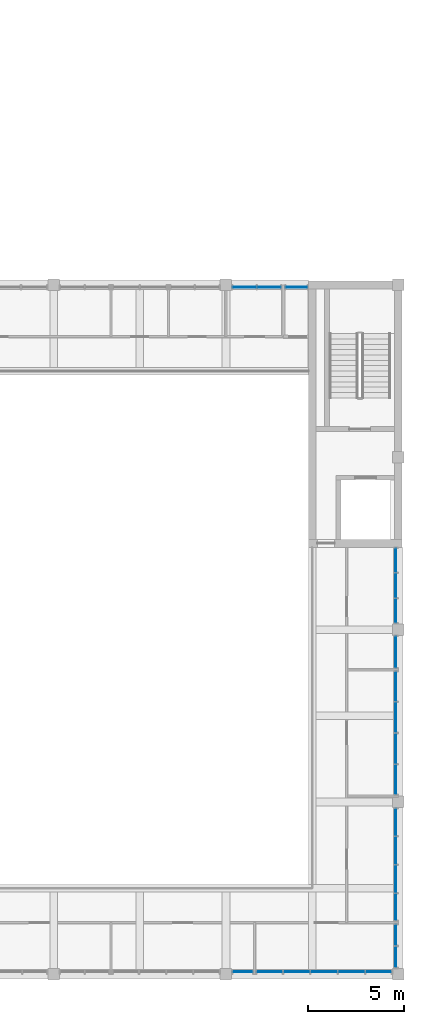
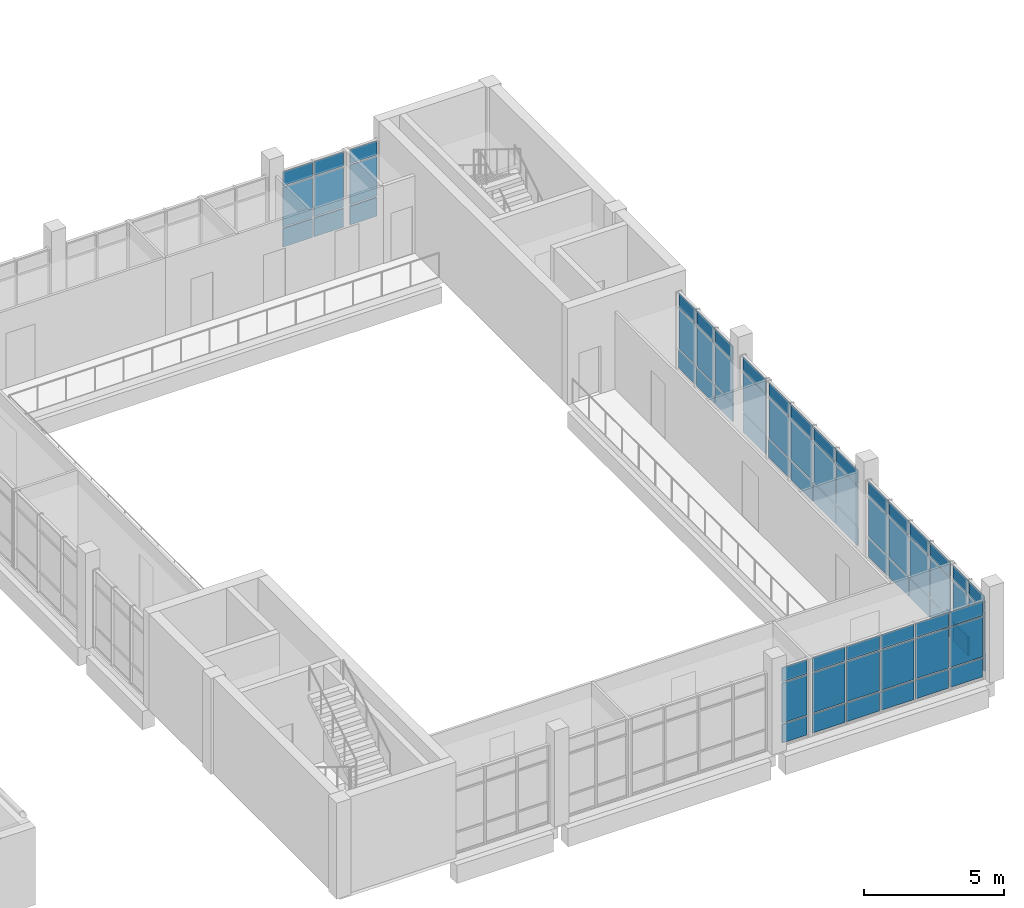
# One storey, part 37 of 92: 69 plates, 9 elements without a shape of their own.
"""IFC4 building model written with IfcOpenShell, lengths in metres."""

from ifc_helpers import new_model, si_unit, direction, frame, origin, origin_2d, place, context, subcontext, project, spatial, rectangle, extrude, material, layer, layer_set, type_object, element, aggregate, save


model = new_model("IFC4")

# Units and contexts
model_context = context("Model", 3, precision=1e-05, world=origin(), true_north=direction((0.0, 1.0)))
body_context = subcontext(model_context, "Body", "Model", "MODEL_VIEW")
ifc_project = project(units=[si_unit("LENGTHUNIT", "METRE"), si_unit("AREAUNIT", "SQUARE_METRE"), si_unit("VOLUMEUNIT", "CUBIC_METRE"), si_unit("PLANEANGLEUNIT", "RADIAN"), si_unit("MASSUNIT", "GRAM", prefix="KILO")], contexts=[model_context])

# Site, building, storey
site_placement = place(None, origin())
site = spatial("IfcSite", under=ifc_project, at=site_placement, CompositionType="ELEMENT")
building_placement = place(site_placement, origin())
building = spatial("IfcBuilding", under=site, at=building_placement, Name="Merrow Basin Faculty of Sciences", CompositionType="ELEMENT")
storey_placement = place(building_placement, frame((0.0, 0.0, 4.5)))
storey = spatial("IfcBuildingStorey", under=building, at=storey_placement, Name="L01", CompositionType="ELEMENT", Elevation=4.5)

# Curtain wall, plates
ifc_material_1 = material(Name="Aluminium alloy 6063", Category="aluminium")
curtain_wall_type = type_object("IfcCurtainWallType", Name="Atrium unitised curtain wall 240", PredefinedType="NOTDEFINED", material=ifc_material_1)
curtain_wall_1_placement = place(storey_placement, origin())
curtain_wall_1 = element("IfcCurtainWall", 1, at=curtain_wall_1_placement, inside=storey, type_object=curtain_wall_type, Name="N curtain wall L01 5", PredefinedType="NOTDEFINED")
ifc_material_2 = material(Name="Low-E double glazing", Category="glass")
ifc_layer_1 = layer(ifc_material_2, 0.031982421875)
ifc_layer_set_1 = layer_set([ifc_layer_1], Name="Acoustic double glazed panel 32")
plate_type_1 = type_object("IfcPlateType", Name="Acoustic double glazed panel 32", PredefinedType="CURTAIN_PANEL", material=ifc_layer_set_1)
plate_1_placement = place(storey_placement, frame((63.97119140625, 35.8798828125, 0.93017578125), z_axis=(0.0, 0.0, 1.0), x_axis=(1.0, 0.0, 0.0)))
plate_1 = element("IfcPlate", 2, at=plate_1_placement, type_object=plate_type_1, Name="CW5 panel 1.2", PredefinedType="CURTAIN_PANEL", context=body_context, shape_type="SweptSolid", body=[
    extrude(rectangle(XDim=1.222412109375, YDim=0.031982421875, at=origin_2d()), origin(), (0.0, 0.0, 1.0), 1.739990234375),
])
plate_2_placement = place(storey_placement, frame((63.97119140625, 35.8798828125, 2.72998046875), z_axis=(0.0, 0.0, 1.0), x_axis=(1.0, 0.0, 0.0)))
plate_2 = element("IfcPlate", 3, at=plate_2_placement, type_object=plate_type_1, Name="CW5 panel 1.3", PredefinedType="CURTAIN_PANEL", context=body_context, shape_type="SweptSolid", body=[
    extrude(rectangle(XDim=1.222412109375, YDim=0.031982421875, at=origin_2d()), origin(), (0.0, 0.0, 1.0), 0.610107421875),
])
plate_3_placement = place(storey_placement, frame((65.253662109375, 35.8798828125, 0.93017578125), z_axis=(0.0, 0.0, 1.0), x_axis=(1.0, 0.0, 0.0)))
plate_3 = element("IfcPlate", 4, at=plate_3_placement, type_object=plate_type_1, Name="CW5 panel 2.2", PredefinedType="CURTAIN_PANEL", context=body_context, shape_type="SweptSolid", body=[
    extrude(rectangle(XDim=1.222412109375, YDim=0.031982421875, at=origin_2d()), origin(), (0.0, 0.0, 1.0), 1.739990234375),
])
plate_4_placement = place(storey_placement, frame((65.253662109375, 35.8798828125, 2.72998046875), z_axis=(0.0, 0.0, 1.0), x_axis=(1.0, 0.0, 0.0)))
plate_4 = element("IfcPlate", 5, at=plate_4_placement, type_object=plate_type_1, Name="CW5 panel 2.3", PredefinedType="CURTAIN_PANEL", context=body_context, shape_type="SweptSolid", body=[
    extrude(rectangle(XDim=1.222412109375, YDim=0.031982421875, at=origin_2d()), origin(), (0.0, 0.0, 1.0), 0.610107421875),
])

curtain_wall_2_placement = place(storey_placement, origin())
curtain_wall_2 = element("IfcCurtainWall", 6, at=curtain_wall_2_placement, inside=storey, type_object=curtain_wall_type, Name="N curtain wall L01 6", PredefinedType="NOTDEFINED")
plate_5_placement = place(storey_placement, frame((66.6875, 35.8798828125, 0.93017578125), z_axis=(0.0, 0.0, 1.0), x_axis=(1.0, 0.0, 0.0)))
plate_5 = element("IfcPlate", 7, at=plate_5_placement, type_object=plate_type_1, Name="CW5 panel 1.2", PredefinedType="CURTAIN_PANEL", context=body_context, shape_type="SweptSolid", body=[
    extrude(rectangle(XDim=1.10498046875, YDim=0.031982421875, at=origin_2d()), origin(), (0.0, 0.0, 1.0), 1.739990234375),
])
plate_6_placement = place(storey_placement, frame((66.6875, 35.8798828125, 2.72998046875), z_axis=(0.0, 0.0, 1.0), x_axis=(1.0, 0.0, 0.0)))
plate_6 = element("IfcPlate", 8, at=plate_6_placement, type_object=plate_type_1, Name="CW5 panel 1.3", PredefinedType="CURTAIN_PANEL", context=body_context, shape_type="SweptSolid", body=[
    extrude(rectangle(XDim=1.10498046875, YDim=0.031982421875, at=origin_2d()), origin(), (0.0, 0.0, 1.0), 0.610107421875),
])

curtain_wall_3_placement = place(storey_placement, origin())
curtain_wall_3 = element("IfcCurtainWall", 9, at=curtain_wall_3_placement, inside=storey, type_object=curtain_wall_type, Name="E curtain wall L01 1", PredefinedType="NOTDEFINED")
plate_7_placement = place(storey_placement, frame((71.8798828125, 0.902587890625, 0.93017578125), z_axis=(0.0, 0.0, 1.0), x_axis=(0.0, 1.0, 0.0)))
plate_7 = element("IfcPlate", 10, at=plate_7_placement, type_object=plate_type_1, Name="CW5 panel 1.2", PredefinedType="CURTAIN_PANEL", context=body_context, shape_type="SweptSolid", body=[
    extrude(rectangle(XDim=1.0849609375, YDim=0.031982421875, at=origin_2d()), origin(), (0.0, 0.0, 1.0), 1.739990234375),
])
plate_8_placement = place(storey_placement, frame((71.8798828125, 0.902587890625, 2.72998046875), z_axis=(0.0, 0.0, 1.0), x_axis=(0.0, 1.0, 0.0)))
plate_8 = element("IfcPlate", 11, at=plate_8_placement, type_object=plate_type_1, Name="CW5 panel 1.3", PredefinedType="CURTAIN_PANEL", context=body_context, shape_type="SweptSolid", body=[
    extrude(rectangle(XDim=1.0849609375, YDim=0.031982421875, at=origin_2d()), origin(), (0.0, 0.0, 1.0), 0.610107421875),
])
plate_9_placement = place(storey_placement, frame((71.8798828125, 2.047607421875, 0.93017578125), z_axis=(0.0, 0.0, 1.0), x_axis=(0.0, 1.0, 0.0)))
plate_9 = element("IfcPlate", 12, at=plate_9_placement, type_object=plate_type_1, Name="CW5 panel 2.2", PredefinedType="CURTAIN_PANEL", context=body_context, shape_type="SweptSolid", body=[
    extrude(rectangle(XDim=1.0849609375, YDim=0.031982421875, at=origin_2d()), origin(), (0.0, 0.0, 1.0), 1.739990234375),
])
plate_10_placement = place(storey_placement, frame((71.8798828125, 2.047607421875, 2.72998046875), z_axis=(0.0, 0.0, 1.0), x_axis=(0.0, 1.0, 0.0)))
plate_10 = element("IfcPlate", 13, at=plate_10_placement, type_object=plate_type_1, Name="CW5 panel 2.3", PredefinedType="CURTAIN_PANEL", context=body_context, shape_type="SweptSolid", body=[
    extrude(rectangle(XDim=1.0849609375, YDim=0.031982421875, at=origin_2d()), origin(), (0.0, 0.0, 1.0), 0.610107421875),
])

curtain_wall_4_placement = place(storey_placement, origin())
curtain_wall_4 = element("IfcCurtainWall", 14, at=curtain_wall_4_placement, inside=storey, type_object=curtain_wall_type, Name="E curtain wall L01 2", PredefinedType="NOTDEFINED")
plate_11_placement = place(storey_placement, frame((71.8798828125, 3.5087890625, 0.93017578125), z_axis=(0.0, 0.0, 1.0), x_axis=(0.0, 1.0, 0.0)))
plate_11 = element("IfcPlate", 15, at=plate_11_placement, type_object=plate_type_1, Name="CW5 panel 1.2", PredefinedType="CURTAIN_PANEL", context=body_context, shape_type="SweptSolid", body=[
    extrude(rectangle(XDim=1.3974609375, YDim=0.031982421875, at=origin_2d()), origin(), (0.0, 0.0, 1.0), 1.739990234375),
])
plate_12_placement = place(storey_placement, frame((71.8798828125, 3.5087890625, 2.72998046875), z_axis=(0.0, 0.0, 1.0), x_axis=(0.0, 1.0, 0.0)))
plate_12 = element("IfcPlate", 16, at=plate_12_placement, type_object=plate_type_1, Name="CW5 panel 1.3", PredefinedType="CURTAIN_PANEL", context=body_context, shape_type="SweptSolid", body=[
    extrude(rectangle(XDim=1.3974609375, YDim=0.031982421875, at=origin_2d()), origin(), (0.0, 0.0, 1.0), 0.610107421875),
])
plate_13_placement = place(storey_placement, frame((71.8798828125, 4.981201171875, 0.93017578125), z_axis=(0.0, 0.0, 1.0), x_axis=(0.0, 1.0, 0.0)))
plate_13 = element("IfcPlate", 17, at=plate_13_placement, type_object=plate_type_1, Name="CW5 panel 2.2", PredefinedType="CURTAIN_PANEL", context=body_context, shape_type="SweptSolid", body=[
    extrude(rectangle(XDim=1.427490234375, YDim=0.031982421875, at=origin_2d()), origin(), (0.0, 0.0, 1.0), 1.739990234375),
])
plate_14_placement = place(storey_placement, frame((71.8798828125, 4.981201171875, 2.72998046875), z_axis=(0.0, 0.0, 1.0), x_axis=(0.0, 1.0, 0.0)))
plate_14 = element("IfcPlate", 18, at=plate_14_placement, type_object=plate_type_1, Name="CW5 panel 2.3", PredefinedType="CURTAIN_PANEL", context=body_context, shape_type="SweptSolid", body=[
    extrude(rectangle(XDim=1.427490234375, YDim=0.031982421875, at=origin_2d()), origin(), (0.0, 0.0, 1.0), 0.610107421875),
])
plate_15_placement = place(storey_placement, frame((71.8798828125, 6.46875, 0.93017578125), z_axis=(0.0, 0.0, 1.0), x_axis=(0.0, 1.0, 0.0)))
plate_15 = element("IfcPlate", 19, at=plate_15_placement, type_object=plate_type_1, Name="CW5 panel 3.2", PredefinedType="CURTAIN_PANEL", context=body_context, shape_type="SweptSolid", body=[
    extrude(rectangle(XDim=1.427490234375, YDim=0.031982421875, at=origin_2d()), origin(), (0.0, 0.0, 1.0), 1.739990234375),
])
plate_16_placement = place(storey_placement, frame((71.8798828125, 6.46875, 2.72998046875), z_axis=(0.0, 0.0, 1.0), x_axis=(0.0, 1.0, 0.0)))
plate_16 = element("IfcPlate", 20, at=plate_16_placement, type_object=plate_type_1, Name="CW5 panel 3.3", PredefinedType="CURTAIN_PANEL", context=body_context, shape_type="SweptSolid", body=[
    extrude(rectangle(XDim=1.427490234375, YDim=0.031982421875, at=origin_2d()), origin(), (0.0, 0.0, 1.0), 0.610107421875),
])
plate_17_placement = place(storey_placement, frame((71.8798828125, 7.941162109375, 0.93017578125), z_axis=(0.0, 0.0, 1.0), x_axis=(0.0, 1.0, 0.0)))
plate_17 = element("IfcPlate", 21, at=plate_17_placement, type_object=plate_type_1, Name="CW5 panel 4.2", PredefinedType="CURTAIN_PANEL", context=body_context, shape_type="SweptSolid", body=[
    extrude(rectangle(XDim=1.3974609375, YDim=0.031982421875, at=origin_2d()), origin(), (0.0, 0.0, 1.0), 1.739990234375),
])
plate_18_placement = place(storey_placement, frame((71.8798828125, 7.941162109375, 2.72998046875), z_axis=(0.0, 0.0, 1.0), x_axis=(0.0, 1.0, 0.0)))
plate_18 = element("IfcPlate", 22, at=plate_18_placement, type_object=plate_type_1, Name="CW5 panel 4.3", PredefinedType="CURTAIN_PANEL", context=body_context, shape_type="SweptSolid", body=[
    extrude(rectangle(XDim=1.3974609375, YDim=0.031982421875, at=origin_2d()), origin(), (0.0, 0.0, 1.0), 0.610107421875),
])

curtain_wall_5_placement = place(storey_placement, origin())
curtain_wall_5 = element("IfcCurtainWall", 23, at=curtain_wall_5_placement, inside=storey, type_object=curtain_wall_type, Name="E curtain wall L01 3", PredefinedType="NOTDEFINED")
plate_19_placement = place(storey_placement, frame((71.8798828125, 10.177490234375, 0.93017578125), z_axis=(0.0, 0.0, 1.0), x_axis=(0.0, 1.0, 0.0)))
plate_19 = element("IfcPlate", 24, at=plate_19_placement, type_object=plate_type_1, Name="CW5 panel 1.2", PredefinedType="CURTAIN_PANEL", context=body_context, shape_type="SweptSolid", body=[
    extrude(rectangle(XDim=1.534912109375, YDim=0.031982421875, at=origin_2d()), origin(), (0.0, 0.0, 1.0), 1.739990234375),
])
plate_20_placement = place(storey_placement, frame((71.8798828125, 10.177490234375, 2.72998046875), z_axis=(0.0, 0.0, 1.0), x_axis=(0.0, 1.0, 0.0)))
plate_20 = element("IfcPlate", 25, at=plate_20_placement, type_object=plate_type_1, Name="CW5 panel 1.3", PredefinedType="CURTAIN_PANEL", context=body_context, shape_type="SweptSolid", body=[
    extrude(rectangle(XDim=1.534912109375, YDim=0.031982421875, at=origin_2d()), origin(), (0.0, 0.0, 1.0), 0.610107421875),
])
plate_21_placement = place(storey_placement, frame((71.8798828125, 11.78759765625, 0.93017578125), z_axis=(0.0, 0.0, 1.0), x_axis=(0.0, 1.0, 0.0)))
plate_21 = element("IfcPlate", 26, at=plate_21_placement, type_object=plate_type_1, Name="CW5 panel 2.2", PredefinedType="CURTAIN_PANEL", context=body_context, shape_type="SweptSolid", body=[
    extrude(rectangle(XDim=1.56494140625, YDim=0.031982421875, at=origin_2d()), origin(), (0.0, 0.0, 1.0), 1.739990234375),
])
plate_22_placement = place(storey_placement, frame((71.8798828125, 11.78759765625, 2.72998046875), z_axis=(0.0, 0.0, 1.0), x_axis=(0.0, 1.0, 0.0)))
plate_22 = element("IfcPlate", 27, at=plate_22_placement, type_object=plate_type_1, Name="CW5 panel 2.3", PredefinedType="CURTAIN_PANEL", context=body_context, shape_type="SweptSolid", body=[
    extrude(rectangle(XDim=1.56494140625, YDim=0.031982421875, at=origin_2d()), origin(), (0.0, 0.0, 1.0), 0.610107421875),
])
plate_23_placement = place(storey_placement, frame((71.8798828125, 13.41259765625, 0.93017578125), z_axis=(0.0, 0.0, 1.0), x_axis=(0.0, 1.0, 0.0)))
plate_23 = element("IfcPlate", 28, at=plate_23_placement, type_object=plate_type_1, Name="CW5 panel 3.2", PredefinedType="CURTAIN_PANEL", context=body_context, shape_type="SweptSolid", body=[
    extrude(rectangle(XDim=1.56494140625, YDim=0.031982421875, at=origin_2d()), origin(), (0.0, 0.0, 1.0), 1.739990234375),
])
plate_24_placement = place(storey_placement, frame((71.8798828125, 13.41259765625, 2.72998046875), z_axis=(0.0, 0.0, 1.0), x_axis=(0.0, 1.0, 0.0)))
plate_24 = element("IfcPlate", 29, at=plate_24_placement, type_object=plate_type_1, Name="CW5 panel 3.3", PredefinedType="CURTAIN_PANEL", context=body_context, shape_type="SweptSolid", body=[
    extrude(rectangle(XDim=1.56494140625, YDim=0.031982421875, at=origin_2d()), origin(), (0.0, 0.0, 1.0), 0.610107421875),
])
plate_25_placement = place(storey_placement, frame((71.8798828125, 15.0224609375, 0.93017578125), z_axis=(0.0, 0.0, 1.0), x_axis=(0.0, 1.0, 0.0)))
plate_25 = element("IfcPlate", 30, at=plate_25_placement, type_object=plate_type_1, Name="CW5 panel 4.2", PredefinedType="CURTAIN_PANEL", context=body_context, shape_type="SweptSolid", body=[
    extrude(rectangle(XDim=1.534912109375, YDim=0.031982421875, at=origin_2d()), origin(), (0.0, 0.0, 1.0), 1.739990234375),
])
plate_26_placement = place(storey_placement, frame((71.8798828125, 15.0224609375, 2.72998046875), z_axis=(0.0, 0.0, 1.0), x_axis=(0.0, 1.0, 0.0)))
plate_26 = element("IfcPlate", 31, at=plate_26_placement, type_object=plate_type_1, Name="CW5 panel 4.3", PredefinedType="CURTAIN_PANEL", context=body_context, shape_type="SweptSolid", body=[
    extrude(rectangle(XDim=1.534912109375, YDim=0.031982421875, at=origin_2d()), origin(), (0.0, 0.0, 1.0), 0.610107421875),
])

curtain_wall_6_placement = place(storey_placement, origin())
curtain_wall_6 = element("IfcCurtainWall", 32, at=curtain_wall_6_placement, inside=storey, type_object=curtain_wall_type, Name="E curtain wall L01 4", PredefinedType="NOTDEFINED")
plate_27_placement = place(storey_placement, frame((71.8798828125, 16.824951171875, 0.93017578125), z_axis=(0.0, 0.0, 1.0), x_axis=(0.0, 1.0, 0.0)))
plate_27 = element("IfcPlate", 33, at=plate_27_placement, type_object=plate_type_1, Name="CW5 panel 1.2", PredefinedType="CURTAIN_PANEL", context=body_context, shape_type="SweptSolid", body=[
    extrude(rectangle(XDim=1.6298828125, YDim=0.031982421875, at=origin_2d()), origin(), (0.0, 0.0, 1.0), 1.739990234375),
])
plate_28_placement = place(storey_placement, frame((71.8798828125, 16.824951171875, 2.72998046875), z_axis=(0.0, 0.0, 1.0), x_axis=(0.0, 1.0, 0.0)))
plate_28 = element("IfcPlate", 34, at=plate_28_placement, type_object=plate_type_1, Name="CW5 panel 1.3", PredefinedType="CURTAIN_PANEL", context=body_context, shape_type="SweptSolid", body=[
    extrude(rectangle(XDim=1.6298828125, YDim=0.031982421875, at=origin_2d()), origin(), (0.0, 0.0, 1.0), 0.610107421875),
])

curtain_wall_7_placement = place(storey_placement, origin())
curtain_wall_7 = element("IfcCurtainWall", 35, at=curtain_wall_7_placement, inside=storey, type_object=curtain_wall_type, Name="E curtain wall L01 5", PredefinedType="NOTDEFINED")
plate_29_placement = place(storey_placement, frame((71.8798828125, 18.981689453125, 0.93017578125), z_axis=(0.0, 0.0, 1.0), x_axis=(0.0, 1.0, 0.0)))
plate_29 = element("IfcPlate", 36, at=plate_29_placement, type_object=plate_type_1, Name="CW5 panel 1.2", PredefinedType="CURTAIN_PANEL", context=body_context, shape_type="SweptSolid", body=[
    extrude(rectangle(XDim=1.243408203125, YDim=0.031982421875, at=origin_2d()), origin(), (0.0, 0.0, 1.0), 1.739990234375),
])
plate_30_placement = place(storey_placement, frame((71.8798828125, 18.981689453125, 2.72998046875), z_axis=(0.0, 0.0, 1.0), x_axis=(0.0, 1.0, 0.0)))
plate_30 = element("IfcPlate", 37, at=plate_30_placement, type_object=plate_type_1, Name="CW5 panel 1.3", PredefinedType="CURTAIN_PANEL", context=body_context, shape_type="SweptSolid", body=[
    extrude(rectangle(XDim=1.243408203125, YDim=0.031982421875, at=origin_2d()), origin(), (0.0, 0.0, 1.0), 0.610107421875),
])
plate_31_placement = place(storey_placement, frame((71.8798828125, 20.300048828125, 0.93017578125), z_axis=(0.0, 0.0, 1.0), x_axis=(0.0, 1.0, 0.0)))
plate_31 = element("IfcPlate", 38, at=plate_31_placement, type_object=plate_type_1, Name="CW5 panel 2.2", PredefinedType="CURTAIN_PANEL", context=body_context, shape_type="SweptSolid", body=[
    extrude(rectangle(XDim=1.2734375, YDim=0.031982421875, at=origin_2d()), origin(), (0.0, 0.0, 1.0), 1.739990234375),
])
plate_32_placement = place(storey_placement, frame((71.8798828125, 20.300048828125, 2.72998046875), z_axis=(0.0, 0.0, 1.0), x_axis=(0.0, 1.0, 0.0)))
plate_32 = element("IfcPlate", 39, at=plate_32_placement, type_object=plate_type_1, Name="CW5 panel 2.3", PredefinedType="CURTAIN_PANEL", context=body_context, shape_type="SweptSolid", body=[
    extrude(rectangle(XDim=1.2734375, YDim=0.031982421875, at=origin_2d()), origin(), (0.0, 0.0, 1.0), 0.610107421875),
])
plate_33_placement = place(storey_placement, frame((71.8798828125, 21.618408203125, 0.93017578125), z_axis=(0.0, 0.0, 1.0), x_axis=(0.0, 1.0, 0.0)))
plate_33 = element("IfcPlate", 40, at=plate_33_placement, type_object=plate_type_1, Name="CW5 panel 3.2", PredefinedType="CURTAIN_PANEL", context=body_context, shape_type="SweptSolid", body=[
    extrude(rectangle(XDim=1.243408203125, YDim=0.031982421875, at=origin_2d()), origin(), (0.0, 0.0, 1.0), 1.739990234375),
])
plate_34_placement = place(storey_placement, frame((71.8798828125, 21.618408203125, 2.72998046875), z_axis=(0.0, 0.0, 1.0), x_axis=(0.0, 1.0, 0.0)))
plate_34 = element("IfcPlate", 41, at=plate_34_placement, type_object=plate_type_1, Name="CW5 panel 3.3", PredefinedType="CURTAIN_PANEL", context=body_context, shape_type="SweptSolid", body=[
    extrude(rectangle(XDim=1.243408203125, YDim=0.031982421875, at=origin_2d()), origin(), (0.0, 0.0, 1.0), 0.610107421875),
])

curtain_wall_8_placement = place(storey_placement, origin())
curtain_wall_8 = element("IfcCurtainWall", 42, at=curtain_wall_8_placement, inside=storey, type_object=curtain_wall_type, Name="S curtain wall L01 4", PredefinedType="NOTDEFINED")
plate_35_placement = place(storey_placement, frame((63.875, 0.1201171875, 0.93017578125), z_axis=(0.0, 0.0, 1.0), x_axis=(1.0, 0.0, 0.0)))
plate_35 = element("IfcPlate", 43, at=plate_35_placement, type_object=plate_type_1, Name="CW5 panel 1.2", PredefinedType="CURTAIN_PANEL", context=body_context, shape_type="SweptSolid", body=[
    extrude(rectangle(XDim=1.030029296875, YDim=0.031982421875, at=origin_2d()), origin(), (0.0, 0.0, 1.0), 1.739990234375),
])
plate_36_placement = place(storey_placement, frame((63.875, 0.1201171875, 2.72998046875), z_axis=(0.0, 0.0, 1.0), x_axis=(1.0, 0.0, 0.0)))
plate_36 = element("IfcPlate", 44, at=plate_36_placement, type_object=plate_type_1, Name="CW5 panel 1.3", PredefinedType="CURTAIN_PANEL", context=body_context, shape_type="SweptSolid", body=[
    extrude(rectangle(XDim=1.030029296875, YDim=0.031982421875, at=origin_2d()), origin(), (0.0, 0.0, 1.0), 0.610107421875),
])

curtain_wall_9_placement = place(storey_placement, origin())
curtain_wall_9 = element("IfcCurtainWall", 45, at=curtain_wall_9_placement, inside=storey, type_object=curtain_wall_type, Name="S curtain wall L01 5", PredefinedType="NOTDEFINED")
plate_37_placement = place(storey_placement, frame((65.280029296875, 0.1201171875, 0.93017578125), z_axis=(0.0, 0.0, 1.0), x_axis=(1.0, 0.0, 0.0)))
plate_37 = element("IfcPlate", 46, at=plate_37_placement, type_object=plate_type_1, Name="CW5 panel 1.2", PredefinedType="CURTAIN_PANEL", context=body_context, shape_type="SweptSolid", body=[
    extrude(rectangle(XDim=1.340087890625, YDim=0.031982421875, at=origin_2d()), origin(), (0.0, 0.0, 1.0), 1.739990234375),
])
plate_38_placement = place(storey_placement, frame((65.280029296875, 0.1201171875, 2.72998046875), z_axis=(0.0, 0.0, 1.0), x_axis=(1.0, 0.0, 0.0)))
plate_38 = element("IfcPlate", 47, at=plate_38_placement, type_object=plate_type_1, Name="CW5 panel 1.3", PredefinedType="CURTAIN_PANEL", context=body_context, shape_type="SweptSolid", body=[
    extrude(rectangle(XDim=1.340087890625, YDim=0.031982421875, at=origin_2d()), origin(), (0.0, 0.0, 1.0), 0.610107421875),
])
plate_39_placement = place(storey_placement, frame((66.695068359375, 0.1201171875, 0.93017578125), z_axis=(0.0, 0.0, 1.0), x_axis=(1.0, 0.0, 0.0)))
plate_39 = element("IfcPlate", 48, at=plate_39_placement, type_object=plate_type_1, Name="CW5 panel 2.2", PredefinedType="CURTAIN_PANEL", context=body_context, shape_type="SweptSolid", body=[
    extrude(rectangle(XDim=1.3701171875, YDim=0.031982421875, at=origin_2d()), origin(), (0.0, 0.0, 1.0), 1.739990234375),
])
plate_40_placement = place(storey_placement, frame((66.695068359375, 0.1201171875, 2.72998046875), z_axis=(0.0, 0.0, 1.0), x_axis=(1.0, 0.0, 0.0)))
plate_40 = element("IfcPlate", 49, at=plate_40_placement, type_object=plate_type_1, Name="CW5 panel 2.3", PredefinedType="CURTAIN_PANEL", context=body_context, shape_type="SweptSolid", body=[
    extrude(rectangle(XDim=1.3701171875, YDim=0.031982421875, at=origin_2d()), origin(), (0.0, 0.0, 1.0), 0.610107421875),
])
plate_41_placement = place(storey_placement, frame((68.125, 0.1201171875, 0.93017578125), z_axis=(0.0, 0.0, 1.0), x_axis=(1.0, 0.0, 0.0)))
plate_41 = element("IfcPlate", 50, at=plate_41_placement, type_object=plate_type_1, Name="CW5 panel 3.2", PredefinedType="CURTAIN_PANEL", context=body_context, shape_type="SweptSolid", body=[
    extrude(rectangle(XDim=1.3701171875, YDim=0.031982421875, at=origin_2d()), origin(), (0.0, 0.0, 1.0), 1.739990234375),
])
plate_42_placement = place(storey_placement, frame((68.125, 0.1201171875, 2.72998046875), z_axis=(0.0, 0.0, 1.0), x_axis=(1.0, 0.0, 0.0)))
plate_42 = element("IfcPlate", 51, at=plate_42_placement, type_object=plate_type_1, Name="CW5 panel 3.3", PredefinedType="CURTAIN_PANEL", context=body_context, shape_type="SweptSolid", body=[
    extrude(rectangle(XDim=1.3701171875, YDim=0.031982421875, at=origin_2d()), origin(), (0.0, 0.0, 1.0), 0.610107421875),
])
plate_43_placement = place(storey_placement, frame((69.554931640625, 0.1201171875, 0.93017578125), z_axis=(0.0, 0.0, 1.0), x_axis=(1.0, 0.0, 0.0)))
plate_43 = element("IfcPlate", 52, at=plate_43_placement, type_object=plate_type_1, Name="CW5 panel 4.2", PredefinedType="CURTAIN_PANEL", context=body_context, shape_type="SweptSolid", body=[
    extrude(rectangle(XDim=1.3701171875, YDim=0.031982421875, at=origin_2d()), origin(), (0.0, 0.0, 1.0), 1.739990234375),
])
plate_44_placement = place(storey_placement, frame((69.554931640625, 0.1201171875, 2.72998046875), z_axis=(0.0, 0.0, 1.0), x_axis=(1.0, 0.0, 0.0)))
plate_44 = element("IfcPlate", 53, at=plate_44_placement, type_object=plate_type_1, Name="CW5 panel 4.3", PredefinedType="CURTAIN_PANEL", context=body_context, shape_type="SweptSolid", body=[
    extrude(rectangle(XDim=1.3701171875, YDim=0.031982421875, at=origin_2d()), origin(), (0.0, 0.0, 1.0), 0.610107421875),
])
plate_45_placement = place(storey_placement, frame((70.969970703125, 0.1201171875, 0.93017578125), z_axis=(0.0, 0.0, 1.0), x_axis=(1.0, 0.0, 0.0)))
plate_45 = element("IfcPlate", 54, at=plate_45_placement, type_object=plate_type_1, Name="CW5 panel 5.2", PredefinedType="CURTAIN_PANEL", context=body_context, shape_type="SweptSolid", body=[
    extrude(rectangle(XDim=1.340087890625, YDim=0.031982421875, at=origin_2d()), origin(), (0.0, 0.0, 1.0), 1.739990234375),
])
plate_46_placement = place(storey_placement, frame((70.969970703125, 0.1201171875, 2.72998046875), z_axis=(0.0, 0.0, 1.0), x_axis=(1.0, 0.0, 0.0)))
plate_46 = element("IfcPlate", 55, at=plate_46_placement, type_object=plate_type_1, Name="CW5 panel 5.3", PredefinedType="CURTAIN_PANEL", context=body_context, shape_type="SweptSolid", body=[
    extrude(rectangle(XDim=1.340087890625, YDim=0.031982421875, at=origin_2d()), origin(), (0.0, 0.0, 1.0), 0.610107421875),
])

# Plate
ifc_material_3 = material(Name="Insulated aluminium spandrel panel", Category="aluminium")
ifc_layer_2 = layer(ifc_material_3, 0.052001953125)
ifc_layer_set_2 = layer_set([ifc_layer_2], Name="Insulated spandrel panel 52")
plate_type_2 = type_object("IfcPlateType", Name="Insulated spandrel panel 52", PredefinedType="CURTAIN_PANEL", material=ifc_layer_set_2)
plate_47_placement = place(storey_placement, frame((63.97119140625, 35.8798828125, 0.06005859375), z_axis=(0.0, 0.0, 1.0), x_axis=(1.0, 0.0, 0.0)))
plate_47 = element("IfcPlate", 56, at=plate_47_placement, type_object=plate_type_2, Name="CW5 panel 1.1", PredefinedType="CURTAIN_PANEL", context=body_context, shape_type="SweptSolid", body=[
    extrude(rectangle(XDim=1.222412109375, YDim=0.052001953125, at=origin_2d()), origin(), (0.0, 0.0, 1.0), 0.81005859375),
])

plate_48_placement = place(storey_placement, frame((65.253662109375, 35.8798828125, 0.06005859375), z_axis=(0.0, 0.0, 1.0), x_axis=(1.0, 0.0, 0.0)))
plate_48 = element("IfcPlate", 57, at=plate_48_placement, type_object=plate_type_2, Name="CW5 panel 2.1", PredefinedType="CURTAIN_PANEL", context=body_context, shape_type="SweptSolid", body=[
    extrude(rectangle(XDim=1.222412109375, YDim=0.052001953125, at=origin_2d()), origin(), (0.0, 0.0, 1.0), 0.81005859375),
])

aggregate(curtain_wall_1, [plate_47, plate_1, plate_2, plate_48, plate_3, plate_4])

plate_49_placement = place(storey_placement, frame((66.6875, 35.8798828125, 0.06005859375), z_axis=(0.0, 0.0, 1.0), x_axis=(1.0, 0.0, 0.0)))
plate_49 = element("IfcPlate", 58, at=plate_49_placement, type_object=plate_type_2, Name="CW5 panel 1.1", PredefinedType="CURTAIN_PANEL", context=body_context, shape_type="SweptSolid", body=[
    extrude(rectangle(XDim=1.10498046875, YDim=0.052001953125, at=origin_2d()), origin(), (0.0, 0.0, 1.0), 0.81005859375),
])

aggregate(curtain_wall_2, [plate_49, plate_5, plate_6])

plate_50_placement = place(storey_placement, frame((71.8798828125, 0.902587890625, 0.06005859375), z_axis=(0.0, 0.0, 1.0), x_axis=(0.0, 1.0, 0.0)))
plate_50 = element("IfcPlate", 59, at=plate_50_placement, type_object=plate_type_2, Name="CW5 panel 1.1", PredefinedType="CURTAIN_PANEL", context=body_context, shape_type="SweptSolid", body=[
    extrude(rectangle(XDim=1.0849609375, YDim=0.052001953125, at=origin_2d()), origin(), (0.0, 0.0, 1.0), 0.81005859375),
])

plate_51_placement = place(storey_placement, frame((71.8798828125, 2.047607421875, 0.06005859375), z_axis=(0.0, 0.0, 1.0), x_axis=(0.0, 1.0, 0.0)))
plate_51 = element("IfcPlate", 60, at=plate_51_placement, type_object=plate_type_2, Name="CW5 panel 2.1", PredefinedType="CURTAIN_PANEL", context=body_context, shape_type="SweptSolid", body=[
    extrude(rectangle(XDim=1.0849609375, YDim=0.052001953125, at=origin_2d()), origin(), (0.0, 0.0, 1.0), 0.81005859375),
])

aggregate(curtain_wall_3, [plate_50, plate_7, plate_8, plate_51, plate_9, plate_10])

plate_52_placement = place(storey_placement, frame((71.8798828125, 3.5087890625, 0.06005859375), z_axis=(0.0, 0.0, 1.0), x_axis=(0.0, 1.0, 0.0)))
plate_52 = element("IfcPlate", 61, at=plate_52_placement, type_object=plate_type_2, Name="CW5 panel 1.1", PredefinedType="CURTAIN_PANEL", context=body_context, shape_type="SweptSolid", body=[
    extrude(rectangle(XDim=1.3974609375, YDim=0.052001953125, at=origin_2d()), origin(), (0.0, 0.0, 1.0), 0.81005859375),
])

plate_53_placement = place(storey_placement, frame((71.8798828125, 4.981201171875, 0.06005859375), z_axis=(0.0, 0.0, 1.0), x_axis=(0.0, 1.0, 0.0)))
plate_53 = element("IfcPlate", 62, at=plate_53_placement, type_object=plate_type_2, Name="CW5 panel 2.1", PredefinedType="CURTAIN_PANEL", context=body_context, shape_type="SweptSolid", body=[
    extrude(rectangle(XDim=1.427490234375, YDim=0.052001953125, at=origin_2d()), origin(), (0.0, 0.0, 1.0), 0.81005859375),
])

plate_54_placement = place(storey_placement, frame((71.8798828125, 6.46875, 0.06005859375), z_axis=(0.0, 0.0, 1.0), x_axis=(0.0, 1.0, 0.0)))
plate_54 = element("IfcPlate", 63, at=plate_54_placement, type_object=plate_type_2, Name="CW5 panel 3.1", PredefinedType="CURTAIN_PANEL", context=body_context, shape_type="SweptSolid", body=[
    extrude(rectangle(XDim=1.427490234375, YDim=0.052001953125, at=origin_2d()), origin(), (0.0, 0.0, 1.0), 0.81005859375),
])

plate_55_placement = place(storey_placement, frame((71.8798828125, 7.941162109375, 0.06005859375), z_axis=(0.0, 0.0, 1.0), x_axis=(0.0, 1.0, 0.0)))
plate_55 = element("IfcPlate", 64, at=plate_55_placement, type_object=plate_type_2, Name="CW5 panel 4.1", PredefinedType="CURTAIN_PANEL", context=body_context, shape_type="SweptSolid", body=[
    extrude(rectangle(XDim=1.3974609375, YDim=0.052001953125, at=origin_2d()), origin(), (0.0, 0.0, 1.0), 0.81005859375),
])

aggregate(curtain_wall_4, [plate_52, plate_11, plate_12, plate_53, plate_13, plate_14, plate_54, plate_15, plate_16, plate_55, plate_17, plate_18])

plate_56_placement = place(storey_placement, frame((71.8798828125, 10.177490234375, 0.06005859375), z_axis=(0.0, 0.0, 1.0), x_axis=(0.0, 1.0, 0.0)))
plate_56 = element("IfcPlate", 65, at=plate_56_placement, type_object=plate_type_2, Name="CW5 panel 1.1", PredefinedType="CURTAIN_PANEL", context=body_context, shape_type="SweptSolid", body=[
    extrude(rectangle(XDim=1.534912109375, YDim=0.052001953125, at=origin_2d()), origin(), (0.0, 0.0, 1.0), 0.81005859375),
])

plate_57_placement = place(storey_placement, frame((71.8798828125, 11.78759765625, 0.06005859375), z_axis=(0.0, 0.0, 1.0), x_axis=(0.0, 1.0, 0.0)))
plate_57 = element("IfcPlate", 66, at=plate_57_placement, type_object=plate_type_2, Name="CW5 panel 2.1", PredefinedType="CURTAIN_PANEL", context=body_context, shape_type="SweptSolid", body=[
    extrude(rectangle(XDim=1.56494140625, YDim=0.052001953125, at=origin_2d()), origin(), (0.0, 0.0, 1.0), 0.81005859375),
])

plate_58_placement = place(storey_placement, frame((71.8798828125, 13.41259765625, 0.06005859375), z_axis=(0.0, 0.0, 1.0), x_axis=(0.0, 1.0, 0.0)))
plate_58 = element("IfcPlate", 67, at=plate_58_placement, type_object=plate_type_2, Name="CW5 panel 3.1", PredefinedType="CURTAIN_PANEL", context=body_context, shape_type="SweptSolid", body=[
    extrude(rectangle(XDim=1.56494140625, YDim=0.052001953125, at=origin_2d()), origin(), (0.0, 0.0, 1.0), 0.81005859375),
])

plate_59_placement = place(storey_placement, frame((71.8798828125, 15.0224609375, 0.06005859375), z_axis=(0.0, 0.0, 1.0), x_axis=(0.0, 1.0, 0.0)))
plate_59 = element("IfcPlate", 68, at=plate_59_placement, type_object=plate_type_2, Name="CW5 panel 4.1", PredefinedType="CURTAIN_PANEL", context=body_context, shape_type="SweptSolid", body=[
    extrude(rectangle(XDim=1.534912109375, YDim=0.052001953125, at=origin_2d()), origin(), (0.0, 0.0, 1.0), 0.81005859375),
])

aggregate(curtain_wall_5, [plate_56, plate_19, plate_20, plate_57, plate_21, plate_22, plate_58, plate_23, plate_24, plate_59, plate_25, plate_26])

plate_60_placement = place(storey_placement, frame((71.8798828125, 16.824951171875, 0.06005859375), z_axis=(0.0, 0.0, 1.0), x_axis=(0.0, 1.0, 0.0)))
plate_60 = element("IfcPlate", 69, at=plate_60_placement, type_object=plate_type_2, Name="CW5 panel 1.1", PredefinedType="CURTAIN_PANEL", context=body_context, shape_type="SweptSolid", body=[
    extrude(rectangle(XDim=1.6298828125, YDim=0.052001953125, at=origin_2d()), origin(), (0.0, 0.0, 1.0), 0.81005859375),
])

aggregate(curtain_wall_6, [plate_60, plate_27, plate_28])

plate_61_placement = place(storey_placement, frame((71.8798828125, 18.981689453125, 0.06005859375), z_axis=(0.0, 0.0, 1.0), x_axis=(0.0, 1.0, 0.0)))
plate_61 = element("IfcPlate", 70, at=plate_61_placement, type_object=plate_type_2, Name="CW5 panel 1.1", PredefinedType="CURTAIN_PANEL", context=body_context, shape_type="SweptSolid", body=[
    extrude(rectangle(XDim=1.243408203125, YDim=0.052001953125, at=origin_2d()), origin(), (0.0, 0.0, 1.0), 0.81005859375),
])

plate_62_placement = place(storey_placement, frame((71.8798828125, 20.300048828125, 0.06005859375), z_axis=(0.0, 0.0, 1.0), x_axis=(0.0, 1.0, 0.0)))
plate_62 = element("IfcPlate", 71, at=plate_62_placement, type_object=plate_type_2, Name="CW5 panel 2.1", PredefinedType="CURTAIN_PANEL", context=body_context, shape_type="SweptSolid", body=[
    extrude(rectangle(XDim=1.2734375, YDim=0.052001953125, at=origin_2d()), origin(), (0.0, 0.0, 1.0), 0.81005859375),
])

plate_63_placement = place(storey_placement, frame((71.8798828125, 21.618408203125, 0.06005859375), z_axis=(0.0, 0.0, 1.0), x_axis=(0.0, 1.0, 0.0)))
plate_63 = element("IfcPlate", 72, at=plate_63_placement, type_object=plate_type_2, Name="CW5 panel 3.1", PredefinedType="CURTAIN_PANEL", context=body_context, shape_type="SweptSolid", body=[
    extrude(rectangle(XDim=1.243408203125, YDim=0.052001953125, at=origin_2d()), origin(), (0.0, 0.0, 1.0), 0.81005859375),
])

aggregate(curtain_wall_7, [plate_61, plate_29, plate_30, plate_62, plate_31, plate_32, plate_63, plate_33, plate_34])

plate_64_placement = place(storey_placement, frame((63.875, 0.1201171875, 0.06005859375), z_axis=(0.0, 0.0, 1.0), x_axis=(1.0, 0.0, 0.0)))
plate_64 = element("IfcPlate", 73, at=plate_64_placement, type_object=plate_type_2, Name="CW5 panel 1.1", PredefinedType="CURTAIN_PANEL", context=body_context, shape_type="SweptSolid", body=[
    extrude(rectangle(XDim=1.030029296875, YDim=0.052001953125, at=origin_2d()), origin(), (0.0, 0.0, 1.0), 0.81005859375),
])

aggregate(curtain_wall_8, [plate_64, plate_35, plate_36])

plate_65_placement = place(storey_placement, frame((65.280029296875, 0.1201171875, 0.06005859375), z_axis=(0.0, 0.0, 1.0), x_axis=(1.0, 0.0, 0.0)))
plate_65 = element("IfcPlate", 74, at=plate_65_placement, type_object=plate_type_2, Name="CW5 panel 1.1", PredefinedType="CURTAIN_PANEL", context=body_context, shape_type="SweptSolid", body=[
    extrude(rectangle(XDim=1.340087890625, YDim=0.052001953125, at=origin_2d()), origin(), (0.0, 0.0, 1.0), 0.81005859375),
])

plate_66_placement = place(storey_placement, frame((66.695068359375, 0.1201171875, 0.06005859375), z_axis=(0.0, 0.0, 1.0), x_axis=(1.0, 0.0, 0.0)))
plate_66 = element("IfcPlate", 75, at=plate_66_placement, type_object=plate_type_2, Name="CW5 panel 2.1", PredefinedType="CURTAIN_PANEL", context=body_context, shape_type="SweptSolid", body=[
    extrude(rectangle(XDim=1.3701171875, YDim=0.052001953125, at=origin_2d()), origin(), (0.0, 0.0, 1.0), 0.81005859375),
])

plate_67_placement = place(storey_placement, frame((68.125, 0.1201171875, 0.06005859375), z_axis=(0.0, 0.0, 1.0), x_axis=(1.0, 0.0, 0.0)))
plate_67 = element("IfcPlate", 76, at=plate_67_placement, type_object=plate_type_2, Name="CW5 panel 3.1", PredefinedType="CURTAIN_PANEL", context=body_context, shape_type="SweptSolid", body=[
    extrude(rectangle(XDim=1.3701171875, YDim=0.052001953125, at=origin_2d()), origin(), (0.0, 0.0, 1.0), 0.81005859375),
])

plate_68_placement = place(storey_placement, frame((69.554931640625, 0.1201171875, 0.06005859375), z_axis=(0.0, 0.0, 1.0), x_axis=(1.0, 0.0, 0.0)))
plate_68 = element("IfcPlate", 77, at=plate_68_placement, type_object=plate_type_2, Name="CW5 panel 4.1", PredefinedType="CURTAIN_PANEL", context=body_context, shape_type="SweptSolid", body=[
    extrude(rectangle(XDim=1.3701171875, YDim=0.052001953125, at=origin_2d()), origin(), (0.0, 0.0, 1.0), 0.81005859375),
])

plate_69_placement = place(storey_placement, frame((70.969970703125, 0.1201171875, 0.06005859375), z_axis=(0.0, 0.0, 1.0), x_axis=(1.0, 0.0, 0.0)))
plate_69 = element("IfcPlate", 78, at=plate_69_placement, type_object=plate_type_2, Name="CW5 panel 5.1", PredefinedType="CURTAIN_PANEL", context=body_context, shape_type="SweptSolid", body=[
    extrude(rectangle(XDim=1.340087890625, YDim=0.052001953125, at=origin_2d()), origin(), (0.0, 0.0, 1.0), 0.81005859375),
])

aggregate(curtain_wall_9, [plate_65, plate_37, plate_38, plate_66, plate_39, plate_40, plate_67, plate_41, plate_42, plate_68, plate_43, plate_44, plate_69, plate_45, plate_46])

save(model, "model.ifc")
